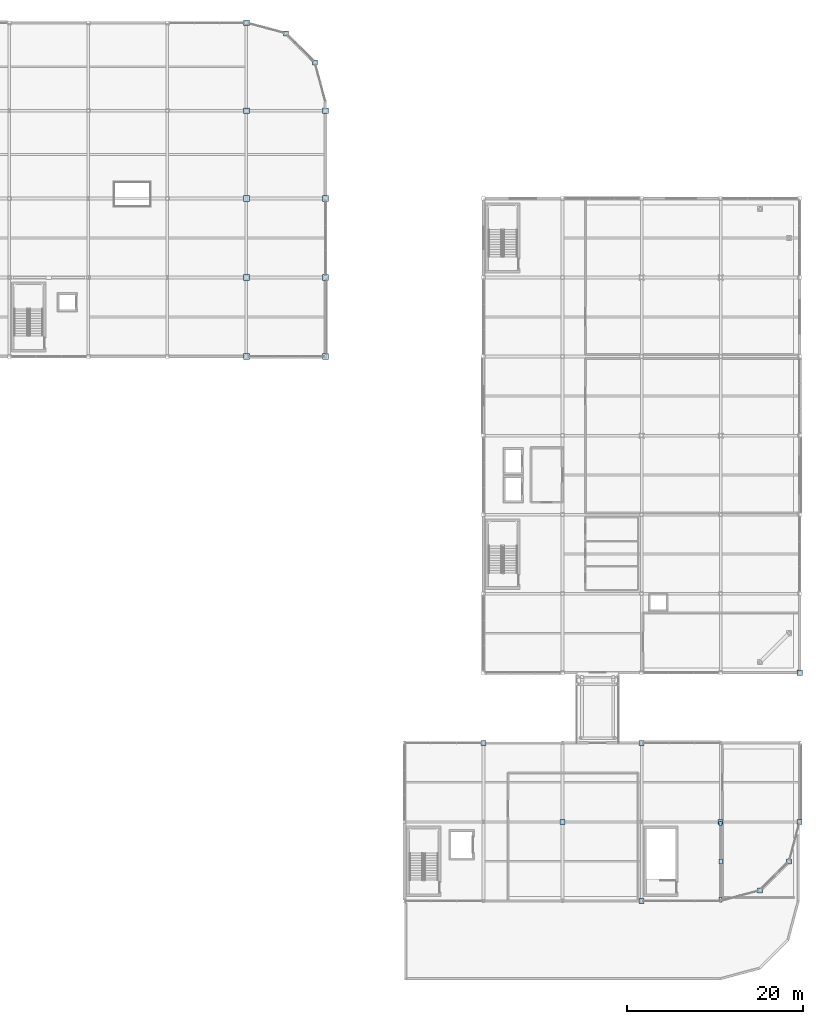
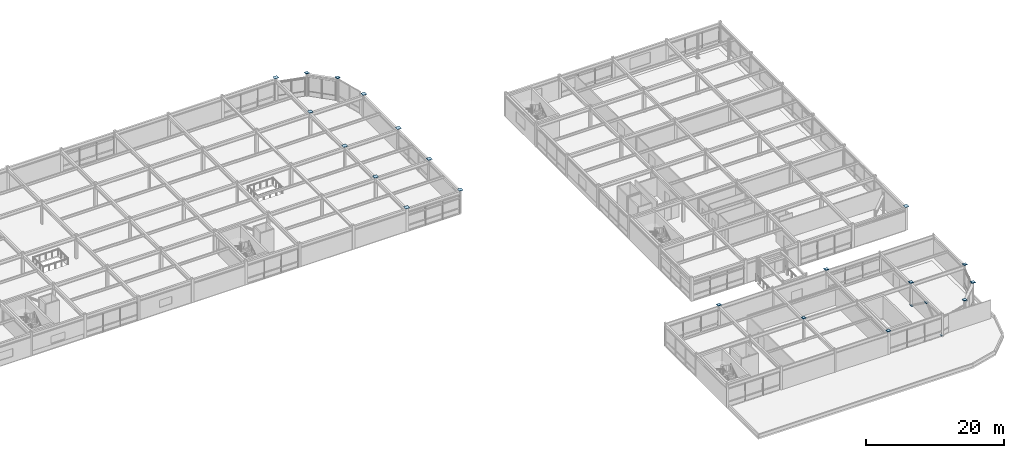
# One storey, part 45 of 70: 23 plates.
"""IFC4 building model written with IfcOpenShell, lengths in metres."""

import ifcopenshell
import ifcopenshell.guid

model = None  # the IFC model being written
_history = None  # IfcOwnerHistory: only IFC2X3 demands one
_inside = {}  # id of a spatial element -> (the spatial element, [elements in it])
_under = {}  # id of a project, library or spatial element -> (it, [spatial elements below it])
_declared = {}  # id of a project -> (the project, [libraries it declares])
_typed = {}  # id of a type object -> (the type object, [elements of that type])
_made_of = {}  # id of a material, layer set ... -> (it, [elements and type objects made of it])


def new_model(schema):
    """Start an empty IFC model of exactly this schema.

    Asked for "IFC4X3", IfcOpenShell would pick the latest addendum, in which some entities
    have other attributes; the version numbers below select the first issue.
    IFC2X3 requires an IfcOwnerHistory on every rooted entity: one is made here for all.
    """
    global model, _history
    if schema == "IFC4X3":
        model = ifcopenshell.file(schema_version=(4, 3, 0, 0))
    else:
        model = ifcopenshell.file(schema=schema)
    _inside.clear()
    _under.clear()
    _declared.clear()
    _typed.clear()
    _made_of.clear()
    _history = None
    if model.schema == "IFC2X3":
        org = make("IfcOrganization", Name="unknown")
        user = make(
            "IfcPersonAndOrganization",
            ThePerson=make("IfcPerson", FamilyName="unknown"),
            TheOrganization=org,
        )
        app = make(
            "IfcApplication",
            ApplicationDeveloper=org,
            Version="unknown",
            ApplicationFullName="unknown",
            ApplicationIdentifier="unknown",
        )
        _history = make(
            "IfcOwnerHistory",
            OwningUser=user,
            OwningApplication=app,
            ChangeAction="ADDED",
            CreationDate=0,
        )
    return model


def make(cls, **values):
    """One entity of the class cls with the attributes given. An attribute that is None is left unset."""
    return model.create_entity(
        cls, **{name: value for name, value in values.items() if value is not None}
    )


def rooted(cls, **values):
    """An entity with a GlobalId (a new one), such as an element, a storey or a relation."""
    return make(cls, GlobalId=ifcopenshell.guid.new(), OwnerHistory=_history, **values)


def si_unit(unit_type, name, prefix=None):
    """IfcSIUnit, for example si_unit("LENGTHUNIT", "METRE", prefix="MILLI")."""
    return make("IfcSIUnit", UnitType=unit_type, Prefix=prefix, Name=name)


def assignment(units):
    """IfcUnitAssignment: the units of a project."""
    return None if units is None else make("IfcUnitAssignment", Units=units)


def point(xyz):
    """IfcCartesianPoint."""
    return None if xyz is None else make("IfcCartesianPoint", Coordinates=xyz)


def direction(xyz):
    """IfcDirection."""
    return None if xyz is None else make("IfcDirection", DirectionRatios=xyz)


def frame(location, z_axis=None, x_axis=None):
    """IfcAxis2Placement3D, a coordinate frame: its origin and axes. An axis left out is left unset."""
    return make(
        "IfcAxis2Placement3D",
        Location=point(location),
        Axis=direction(z_axis),
        RefDirection=direction(x_axis),
    )


def frame_2d(location, x_axis=None):
    """IfcAxis2Placement2D, a coordinate frame in the plane: its origin and x axis."""
    return make(
        "IfcAxis2Placement2D", Location=point(location), RefDirection=direction(x_axis)
    )


def origin():
    """The frame at (0, 0, 0) with its axes left unset."""
    return frame((0.0, 0.0, 0.0))


def origin_2d():
    """The frame at (0, 0) in the plane with its x axis left unset."""
    return frame_2d((0.0, 0.0))


def place(relative_to, where):
    """IfcLocalPlacement: puts the frame where relative to a parent placement (None: the world)."""
    return make(
        "IfcLocalPlacement", PlacementRelTo=relative_to, RelativePlacement=where
    )


def context(
    kind, dimensions, precision=None, world=None, true_north=None, identifier=None
):
    """IfcGeometricRepresentationContext, for example the 3D "Model" context."""
    return make(
        "IfcGeometricRepresentationContext",
        ContextIdentifier=identifier,
        ContextType=kind,
        CoordinateSpaceDimension=dimensions,
        Precision=precision,
        WorldCoordinateSystem=world,
        TrueNorth=true_north,
    )


def subcontext(parent, identifier, kind, view, scale=None):
    """IfcGeometricRepresentationSubContext, for example "Body" below "Model"."""
    return make(
        "IfcGeometricRepresentationSubContext",
        ContextIdentifier=identifier,
        ContextType=kind,
        ParentContext=parent,
        TargetScale=scale,
        TargetView=view,
    )


def project(units=None, contexts=None):
    """IfcProject with its units and contexts."""
    return rooted(
        "IfcProject",
        Name="project",
        RepresentationContexts=contexts,
        UnitsInContext=assignment(units),
    )


def spatial(cls, under=None, at=None, **own):
    """A site, building, storey or space (cls), placed at a placement, below another one or the project."""
    s = rooted(cls, ObjectPlacement=at, **own)
    if under is not None:
        _under.setdefault(under.id(), (under, []))[1].append(s)
    return s


def profile(cls, at=None, kind="AREA", **sizes):
    """A parametric profile (cls). Its sizes go by their IFC names, for example OverallWidth=200.0."""
    return make(cls, ProfileType=kind, Position=at, **sizes)


def rectangle(**sizes):
    """IfcRectangleProfileDef."""
    return profile("IfcRectangleProfileDef", **sizes)


def extrude(swept, where, along, depth):
    """IfcExtrudedAreaSolid: the profile swept, set in the frame where, extruded along a direction by depth."""
    return make(
        "IfcExtrudedAreaSolid",
        SweptArea=swept,
        Position=where,
        ExtrudedDirection=direction(along),
        Depth=depth,
    )


def shape(context_of_items, identifier, shape_type, items):
    """IfcShapeRepresentation: the items that make up one representation, for example the "Body"."""
    return make(
        "IfcShapeRepresentation",
        ContextOfItems=context_of_items,
        RepresentationIdentifier=identifier,
        RepresentationType=shape_type,
        Items=items,
    )


def material(Name=None, Category=None):
    """IfcMaterial."""
    return make("IfcMaterial", Name=Name, Category=Category)


def layer(
    of_material, thickness, ventilated=None, Name=None, Category=None, Priority=None
):
    """IfcMaterialLayer: one layer of a wall or slab, of a material (None: an air gap)."""
    return make(
        "IfcMaterialLayer",
        Material=of_material,
        LayerThickness=thickness,
        IsVentilated=ventilated,
        Name=Name,
        Category=Category,
        Priority=Priority,
    )


def layer_set(layers, Name=None):
    """IfcMaterialLayerSet."""
    return make("IfcMaterialLayerSet", MaterialLayers=layers, LayerSetName=Name)


def made_of(thing, what):
    """Note that an element or type object is made of a material, layer set ...; save() writes the relation."""
    if what is not None:
        _made_of.setdefault(what.id(), (what, []))[1].append(thing)
    return thing


def type_object(cls, material=None, **own):
    """A type object (cls), such as IfcWallType, which elements share."""
    return made_of(rooted(cls, **own), material)


def element(
    cls,
    number,
    at=None,
    inside=None,
    cuts=None,
    type_object=None,
    material=None,
    context=None,
    identifier="Body",
    shape_type=None,
    held_by="IfcProductDefinitionShape",
    body=None,
    shapes=None,
    **own,
):
    """One element of the class cls, such as IfcWall. Its Tag is "e" and its number.

    at: its placement. inside: the storey or other place that contains it. cuts: it is an
    opening in that element (IfcRelVoidsElement). A single representation is given by context,
    identifier, shape_type and body (its items); several are given by shapes. held_by: the class
    of the entity that holds the representations. save() writes the other relations.
    """
    e = rooted(cls, Tag="e%d" % number, ObjectPlacement=at, **own)
    if body is not None:
        shapes = [shape(context, identifier, shape_type, body)]
    if shapes is not None:
        e.Representation = make(held_by, Representations=shapes)
    if inside is not None:
        _inside.setdefault(inside.id(), (inside, []))[1].append(e)
    if cuts is not None:
        rooted(
            "IfcRelVoidsElement", RelatingBuildingElement=cuts, RelatedOpeningElement=e
        )
    if type_object is not None:
        _typed.setdefault(type_object.id(), (type_object, []))[1].append(e)
    return made_of(e, material)


def aggregate(whole, parts):
    """IfcRelAggregates: a whole, such as a stair, and the parts it consists of."""
    return rooted("IfcRelAggregates", RelatingObject=whole, RelatedObjects=parts)


def save(model, path):
    """Write the relations noted so far, then the file.

    IfcRelAggregates (storeys below a building ...), IfcRelContainedInSpatialStructure (elements
    in a storey), IfcRelDefinesByType, IfcRelAssociatesMaterial and IfcRelDeclares: one each for
    every whole, place, type object, material and project.
    """
    for whole, parts in _under.values():
        aggregate(whole, parts)
    for where, things in _inside.values():
        rooted(
            "IfcRelContainedInSpatialStructure",
            RelatedElements=things,
            RelatingStructure=where,
        )
    for kind, things in _typed.values():
        rooted("IfcRelDefinesByType", RelatedObjects=things, RelatingType=kind)
    for what, things in _made_of.values():
        rooted("IfcRelAssociatesMaterial", RelatedObjects=things, RelatingMaterial=what)
    for by, libraries in _declared.values():
        rooted("IfcRelDeclares", RelatingContext=by, RelatedDefinitions=libraries)
    model.write(path)


model = new_model("IFC4")

# Units and contexts
model_context = context("Model", 3, precision=1e-05, world=origin(), true_north=direction((0.0, 1.0)))
body_context = subcontext(model_context, "Body", "Model", "MODEL_VIEW")
ifc_project = project(units=[si_unit("LENGTHUNIT", "METRE"), si_unit("AREAUNIT", "SQUARE_METRE"), si_unit("VOLUMEUNIT", "CUBIC_METRE"), si_unit("PLANEANGLEUNIT", "RADIAN"), si_unit("MASSUNIT", "GRAM", prefix="KILO")], contexts=[model_context])

# Site, building, storey
site_placement = place(None, origin())
site = spatial("IfcSite", under=ifc_project, at=site_placement, CompositionType="ELEMENT")
building_placement = place(site_placement, origin())
building = spatial("IfcBuilding", under=site, at=building_placement, Name="Suzunagisa Mobility Hub", CompositionType="ELEMENT")
storey_placement = place(building_placement, frame((0.0, 0.0, 13.5)))
storey = spatial("IfcBuildingStorey", under=building, at=storey_placement, Name="L03", CompositionType="ELEMENT", Elevation=13.5)

# Plates
ifc_material = material(Name="Steel SN490B", Category="steel")
ifc_layer_1 = layer(ifc_material, 0.02392578125)
ifc_layer_set_1 = layer_set([ifc_layer_1], Name="Steel SN490B")
plate_type_1 = type_object("IfcPlateType", Name="Structural Steel Plate SP-01 550x550x24", PredefinedType="USERDEFINED", material=ifc_layer_set_1)
for number, where, z_axis, x_axis, name in (
    (1, (121.5, 116.794189453125, 4.14013671875), (0.0, 0.0, 1.0), (1.0, 0.0, 0.0), "L03 Column Cap Plate CP-223"),
    (2, (124.794189453125, 113.5, 4.14013671875), (0.0, 0.0, 1.0), (1.0, 0.0, 0.0), "L03 Column Cap Plate CP-227"),
    (3, (144.0, 36.0, 4.14013671875), (0.0, 0.0, 1.0), (1.0, 0.0, 0.0), "L03 Column Cap Plate CP-255"),
    (4, (153.0, 27.0, 4.14013671875), (0.0, 0.0, 1.0), (1.0, 0.0, 0.0), "L03 Column Cap Plate CP-267"),
    (5, (162.0, 18.0, 4.14013671875), (0.0, 0.0, 1.0), (1.0, 0.0, 0.0), "L03 Column Cap Plate CP-285"),
    (6, (162.0, 36.0, 4.14013671875), (0.0, 0.0, 1.0), (1.0, 0.0, 0.0), "L03 Column Cap Plate CP-287"),
    (7, (171.0, 27.0, 4.14013671875), (0.0, 0.0, 1.0), (1.0, 0.0, 0.0), "L03 Column Cap Plate CP-299"),
    (8, (175.5, 19.205810546875, 4.14013671875), (0.0, 0.0, 1.0), (1.0, 0.0, 0.0), "L03 Column Cap Plate CP-311"),
    (9, (178.794189453125, 22.5, 4.14013671875), (0.0, 0.0, 1.0), (1.0, 0.0, 0.0), "L03 Column Cap Plate CP-317"),
    (10, (180.0, 27.0, 4.14013671875), (0.0, 0.0, 1.0), (1.0, 0.0, 0.0), "L03 Column Cap Plate CP-323"),
):
    element("IfcPlate", number, at=place(storey_placement, frame(where, z_axis=z_axis, x_axis=x_axis)), inside=storey, type_object=plate_type_1, Name=name, ObjectType="BASE PLATE", PredefinedType="USERDEFINED", context=body_context, shape_type="SweptSolid", body=[
        extrude(rectangle(XDim=0.550048828125, YDim=0.550048828125, at=origin_2d()), origin(), (0.0, 0.0, 1.0), 0.02392578125),
    ])
ifc_layer_2 = layer(ifc_material, 0.028076171875)
ifc_layer_set_2 = layer_set([ifc_layer_2], Name="Steel SN490B")
plate_type_2 = type_object("IfcPlateType", Name="Structural Steel Plate SP-04 480x320x28", PredefinedType="USERDEFINED", material=ifc_layer_set_2)
for number, where, z_axis, x_axis, name in (
    (11, (171.0, 18.18994140625, 0.10595703125), (0.0, 0.0, 1.0), (1.0, 0.0, 0.0), "L03 Brace Foot Gusset Plate FGP-129.1"),
    (12, (171.0, 26.830078125, 0.10595703125), (0.0, 0.0, 1.0), (1.0, 0.0, 0.0), "L03 Brace Foot Gusset Plate FGP-129.2"),
):
    element("IfcPlate", number, at=place(storey_placement, frame(where, z_axis=z_axis, x_axis=x_axis)), inside=storey, type_object=plate_type_2, Name=name, ObjectType="GUSSET PLATE", PredefinedType="USERDEFINED", context=body_context, shape_type="SweptSolid", body=[
        extrude(rectangle(XDim=0.320068359375, YDim=0.47998046875, at=origin_2d()), origin(), (0.0, 0.0, 1.0), 0.028076171875),
    ])
ifc_layer_3 = layer(ifc_material, 0.031982421875)
ifc_layer_set_3 = layer_set([ifc_layer_3], Name="Steel SN490B")
plate_type_3 = type_object("IfcPlateType", Name="Structural Steel Plate SP-05 650x650x32", PredefinedType="USERDEFINED", material=ifc_layer_set_3)
for number, where, z_axis, x_axis, name in (
    (13, (117.0, 80.0, 4.14013671875), (0.0, 0.0, 1.0), (1.0, 0.0, 0.0), "L03 Column Cap Plate CP-215"),
    (14, (117.0, 89.0, 4.14013671875), (0.0, 0.0, 1.0), (1.0, 0.0, 0.0), "L03 Column Cap Plate CP-216"),
    (15, (117.0, 98.0, 4.14013671875), (0.0, 0.0, 1.0), (1.0, 0.0, 0.0), "L03 Column Cap Plate CP-217"),
    (16, (117.0, 108.0, 4.14013671875), (0.0, 0.0, 1.0), (1.0, 0.0, 0.0), "L03 Column Cap Plate CP-218"),
    (17, (117.0, 118.0, 4.14013671875), (0.0, 0.0, 1.0), (1.0, 0.0, 0.0), "L03 Column Cap Plate CP-219"),
    (18, (126.0, 80.0, 4.14013671875), (0.0, 0.0, 1.0), (1.0, 0.0, 0.0), "L03 Column Cap Plate CP-233"),
    (19, (126.0, 89.0, 4.14013671875), (0.0, 0.0, 1.0), (1.0, 0.0, 0.0), "L03 Column Cap Plate CP-234"),
    (20, (126.0, 98.0, 4.14013671875), (0.0, 0.0, 1.0), (1.0, 0.0, 0.0), "L03 Column Cap Plate CP-235"),
    (21, (126.0, 108.0, 4.14013671875), (0.0, 0.0, 1.0), (1.0, 0.0, 0.0), "L03 Column Cap Plate CP-236"),
    (22, (180.0, 44.0, 4.14013671875), (0.0, 0.0, 1.0), (1.0, 0.0, 0.0), "L03 Column Cap Plate CP-325"),
):
    element("IfcPlate", number, at=place(storey_placement, frame(where, z_axis=z_axis, x_axis=x_axis)), inside=storey, type_object=plate_type_3, Name=name, ObjectType="BASE PLATE", PredefinedType="USERDEFINED", context=body_context, shape_type="SweptSolid", body=[
        extrude(rectangle(XDim=0.64990234375, YDim=0.64990234375, at=origin_2d()), origin(), (0.0, 0.0, 1.0), 0.031982421875),
    ])
ifc_layer_4 = layer(ifc_material, 0.028076171875)
ifc_layer_set_4 = layer_set([ifc_layer_4], Name="Steel SN490B")
plate_type_4 = type_object("IfcPlateType", Name="Structural Steel Plate SP-06 600x400x28", PredefinedType="USERDEFINED", material=ifc_layer_set_4)
plate_placement = place(storey_placement, frame((171.0, 22.5, 3.26171875), z_axis=(0.0, 0.0, 1.0), x_axis=(1.0, 0.0, 0.0)))
element("IfcPlate", 23, at=plate_placement, inside=storey, type_object=plate_type_4, Name="L03 Brace Apex Gusset GP-129", ObjectType="GUSSET PLATE", PredefinedType="USERDEFINED", context=body_context, shape_type="SweptSolid", body=[
    extrude(rectangle(XDim=0.39990234375, YDim=0.60009765625, at=origin_2d()), origin(), (0.0, 0.0, 1.0), 0.028076171875),
])

save(model, "model.ifc")
